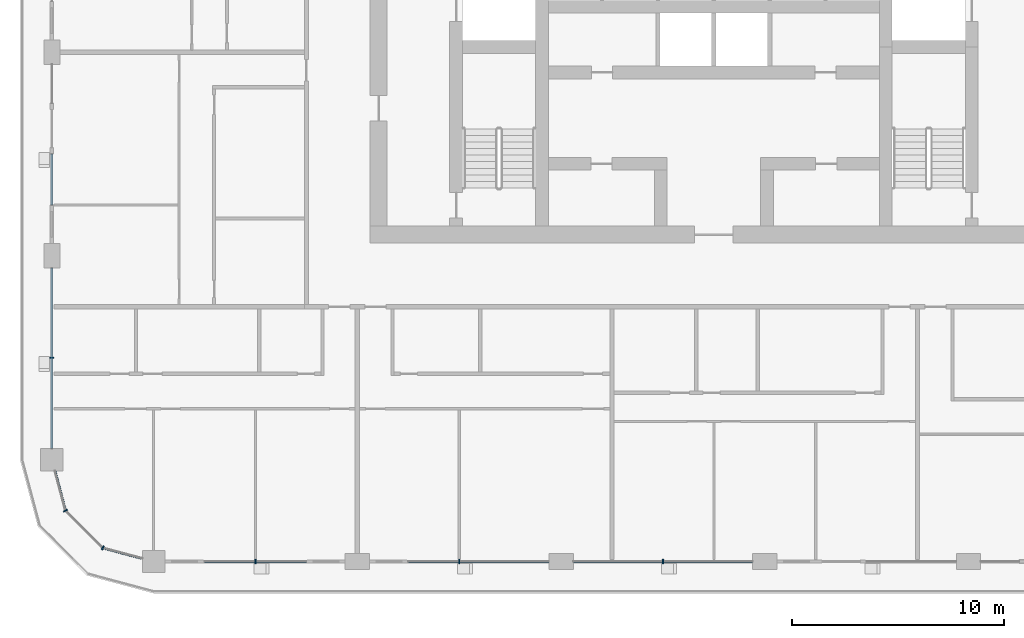
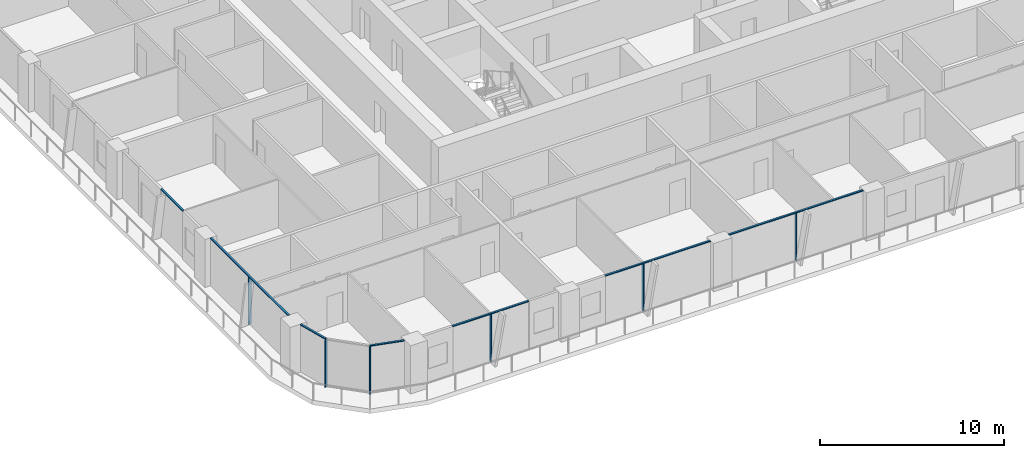
# One storey, part 2 of 22: 13 members, 6 elements without a shape of their own.
"""IFC4 building model written with IfcOpenShell, lengths in metres."""

from ifc_helpers import new_model, si_unit, direction, frame, origin, origin_2d, place, context, subcontext, project, spatial, rectangle, extrude, material, layer, layer_set, material_profile, profile_set, type_object, element, aggregate, save


model = new_model("IFC4")

# Units and contexts
model_context = context("Model", 3, precision=1e-05, world=origin(), true_north=direction((0.0, 1.0)))
body_context = subcontext(model_context, "Body", "Model", "MODEL_VIEW")
ifc_project = project(units=[si_unit("LENGTHUNIT", "METRE"), si_unit("AREAUNIT", "SQUARE_METRE"), si_unit("VOLUMEUNIT", "CUBIC_METRE"), si_unit("PLANEANGLEUNIT", "RADIAN"), si_unit("MASSUNIT", "GRAM", prefix="KILO")], contexts=[model_context])

# Site, building, storey
site_placement = place(None, origin())
site = spatial("IfcSite", under=ifc_project, at=site_placement, CompositionType="ELEMENT")
building_placement = place(site_placement, origin())
building = spatial("IfcBuilding", under=site, at=building_placement, Name="Madar Terraces", CompositionType="ELEMENT")
storey_placement = place(building_placement, frame((0.0, 0.0, 152.5)))
storey = spatial("IfcBuildingStorey", under=building, at=storey_placement, Name="L39", CompositionType="ELEMENT", Elevation=152.5)

# Curtain wall, member
ifc_material_1 = material(Name="Glass, ceramic frit dark grey, with black aluminium frame", Category="aluminium")
ifc_layer = layer(ifc_material_1, 0.199951171875)
ifc_layer_set = layer_set([ifc_layer], Name="Facade curtain wall, fritted glass")
curtain_wall_type = type_object("IfcCurtainWallType", Name="Facade curtain wall, fritted glass", PredefinedType="NOTDEFINED", material=ifc_layer_set)
curtain_wall_1_placement = place(storey_placement, origin())
curtain_wall_1 = element("IfcCurtainWall", 1, at=curtain_wall_1_placement, inside=storey, type_object=curtain_wall_type, Name="Outer skin curtain wall south bay 1", PredefinedType="NOTDEFINED")
ifc_material_2 = material(Name="Aluminium, black anodised", Category="aluminium")
ifc_material_profile_1 = material_profile(ifc_material_2, rectangle(XDim=0.199951171875, YDim=0.06005859375, at=origin_2d()), Name="Facade mullion 60x200")
ifc_profile_set_1 = profile_set([ifc_material_profile_1], Name="Aluminium, black anodised")
member_type_1 = type_object("IfcMemberType", Name="Facade mullion 60x200", PredefinedType="MULLION", material=ifc_profile_set_1)
member_1_placement = place(storey_placement, frame((9.60009765625, 0.0, 0.0), z_axis=(0.0, 0.0, 1.0), x_axis=(0.0, 1.0, 0.0)))
member_1 = element("IfcMember", 2, at=member_1_placement, type_object=member_type_1, Name="Mullion 1", PredefinedType="MULLION", context=body_context, shape_type="SweptSolid", body=[
    extrude(rectangle(XDim=0.199951171875, YDim=0.06005859375, at=origin_2d()), origin(), (0.0, 0.0, 1.0), 3.139892578125),
])

curtain_wall_2_placement = place(storey_placement, origin())
curtain_wall_2 = element("IfcCurtainWall", 3, at=curtain_wall_2_placement, inside=storey, type_object=curtain_wall_type, Name="Outer skin curtain wall south bay 2", PredefinedType="NOTDEFINED")
member_2_placement = place(storey_placement, frame((19.199951171875, 0.0, 0.0), z_axis=(0.0, 0.0, 1.0), x_axis=(0.0, 1.0, 0.0)))
member_2 = element("IfcMember", 4, at=member_2_placement, type_object=member_type_1, Name="Mullion 1", PredefinedType="MULLION", context=body_context, shape_type="SweptSolid", body=[
    extrude(rectangle(XDim=0.199951171875, YDim=0.06005859375, at=origin_2d()), origin(), (0.0, 0.0, 1.0), 3.139892578125),
])

curtain_wall_3_placement = place(storey_placement, origin())
curtain_wall_3 = element("IfcCurtainWall", 5, at=curtain_wall_3_placement, inside=storey, type_object=curtain_wall_type, Name="Outer skin curtain wall south bay 3", PredefinedType="NOTDEFINED")
member_3_placement = place(storey_placement, frame((28.800048828125, 0.0, 0.0), z_axis=(0.0, 0.0, 1.0), x_axis=(0.0, 1.0, 0.0)))
member_3 = element("IfcMember", 6, at=member_3_placement, type_object=member_type_1, Name="Mullion 1", PredefinedType="MULLION", context=body_context, shape_type="SweptSolid", body=[
    extrude(rectangle(XDim=0.199951171875, YDim=0.06005859375, at=origin_2d()), origin(), (0.0, 0.0, 1.0), 3.139892578125),
])

curtain_wall_4_placement = place(storey_placement, origin())
curtain_wall_4 = element("IfcCurtainWall", 7, at=curtain_wall_4_placement, inside=storey, type_object=curtain_wall_type, Name="Outer skin curtain wall west bay 4", PredefinedType="NOTDEFINED")
member_4_placement = place(storey_placement, frame((0.0, 9.60009765625, 0.0), z_axis=(0.0, 0.0, 1.0), x_axis=(1.0, 0.0, 0.0)))
member_4 = element("IfcMember", 8, at=member_4_placement, type_object=member_type_1, Name="Mullion 1", PredefinedType="MULLION", context=body_context, shape_type="SweptSolid", body=[
    extrude(rectangle(XDim=0.199951171875, YDim=0.06005859375, at=origin_2d()), origin(), (0.0, 0.0, 1.0), 3.139892578125),
])

# Curtain wall, members
curtain_wall_5_placement = place(storey_placement, origin())
curtain_wall_5 = element("IfcCurtainWall", 9, at=curtain_wall_5_placement, inside=storey, type_object=curtain_wall_type, Name="Outer skin curtain wall south-west corner", PredefinedType="NOTDEFINED")
member_5_placement = place(storey_placement, frame((0.64306640625, 2.39990234375, 0.0), z_axis=(0.0, 0.0, 1.0), x_axis=(0.866025409797, 0.499999989586, 0.0)))
member_5 = element("IfcMember", 10, at=member_5_placement, type_object=member_type_1, Name="Mullion 1", PredefinedType="MULLION", context=body_context, shape_type="SweptSolid", body=[
    extrude(rectangle(XDim=0.199951171875, YDim=0.06005859375, at=origin_2d()), origin(), (0.0, 0.0, 1.0), 3.139892578125),
])
member_6_placement = place(storey_placement, frame((2.39990234375, 0.64306640625, 0.0), z_axis=(0.0, 0.0, 1.0), x_axis=(0.499999989586, 0.866025409797, 0.0)))
member_6 = element("IfcMember", 11, at=member_6_placement, type_object=member_type_1, Name="Mullion 2", PredefinedType="MULLION", context=body_context, shape_type="SweptSolid", body=[
    extrude(rectangle(XDim=0.199951171875, YDim=0.06005859375, at=origin_2d()), origin(), (0.0, 0.0, 1.0), 3.139892578125),
])

# Member
ifc_material_3 = material(Name="Aluminium, black anodised", Category="aluminium")
ifc_material_profile_2 = material_profile(ifc_material_3, rectangle(XDim=0.1201171875, YDim=0.06005859375, at=origin_2d()), Name="Facade transom 60x120")
ifc_profile_set_2 = profile_set([ifc_material_profile_2], Name="Aluminium, black anodised")
member_type_2 = type_object("IfcMemberType", Name="Facade transom 60x120", PredefinedType="USERDEFINED", material=ifc_profile_set_2)
member_7_placement = place(storey_placement, frame((7.199951171875, 0.0, 3.169921875), z_axis=(1.0, 0.0, 0.0), x_axis=(0.0, 1.0, 0.0)))
member_7 = element("IfcMember", 12, at=member_7_placement, type_object=member_type_2, Name="Transom 1", ObjectType="TRANSOM", PredefinedType="USERDEFINED", context=body_context, shape_type="SweptSolid", body=[
    extrude(rectangle(XDim=0.1201171875, YDim=0.06005859375, at=origin_2d()), origin(), (0.0, 0.0, 1.0), 4.800048828125),
])

aggregate(curtain_wall_1, [member_1, member_7])

member_8_placement = place(storey_placement, frame((16.800048828125, 0.0, 3.169921875), z_axis=(1.0, 0.0, 0.0), x_axis=(0.0, 1.0, 0.0)))
member_8 = element("IfcMember", 13, at=member_8_placement, type_object=member_type_2, Name="Transom 1", ObjectType="TRANSOM", PredefinedType="USERDEFINED", context=body_context, shape_type="SweptSolid", body=[
    extrude(rectangle(XDim=0.1201171875, YDim=0.06005859375, at=origin_2d()), origin(), (0.0, 0.0, 1.0), 6.625),
])

aggregate(curtain_wall_2, [member_2, member_8])

member_9_placement = place(storey_placement, frame((24.574951171875, 0.0, 3.169921875), z_axis=(1.0, 0.0, 0.0), x_axis=(0.0, 1.0, 0.0)))
member_9 = element("IfcMember", 14, at=member_9_placement, type_object=member_type_2, Name="Transom 1", ObjectType="TRANSOM", PredefinedType="USERDEFINED", context=body_context, shape_type="SweptSolid", body=[
    extrude(rectangle(XDim=0.1201171875, YDim=0.06005859375, at=origin_2d()), origin(), (0.0, 0.0, 1.0), 8.449951171875),
])

aggregate(curtain_wall_3, [member_3, member_9])

# Curtain wall, member
curtain_wall_6_placement = place(storey_placement, origin())
curtain_wall_6 = element("IfcCurtainWall", 15, at=curtain_wall_6_placement, inside=storey, type_object=curtain_wall_type, Name="Outer skin curtain wall west bay 3", PredefinedType="NOTDEFINED")
member_10_placement = place(storey_placement, frame((0.0, 19.199951171875, 3.169921875), z_axis=(0.0, -1.0, 0.0), x_axis=(1.0, 0.0, 0.0)))
member_10 = element("IfcMember", 16, at=member_10_placement, type_object=member_type_2, Name="Transom 2", ObjectType="TRANSOM", PredefinedType="USERDEFINED", context=body_context, shape_type="SweptSolid", body=[
    extrude(rectangle(XDim=0.1201171875, YDim=0.06005859375, at=origin_2d()), origin(), (0.0, 0.0, 1.0), 2.39990234375),
])
aggregate(curtain_wall_6, [member_10])

# Member
member_11_placement = place(storey_placement, frame((0.0, 13.824951171875, 3.169921875), z_axis=(0.0, -1.0, 0.0), x_axis=(1.0, 0.0, 0.0)))
member_11 = element("IfcMember", 17, at=member_11_placement, type_object=member_type_2, Name="Transom 1", ObjectType="TRANSOM", PredefinedType="USERDEFINED", context=body_context, shape_type="SweptSolid", body=[
    extrude(rectangle(XDim=0.1201171875, YDim=0.06005859375, at=origin_2d()), origin(), (0.0, 0.0, 1.0), 8.5),
])

aggregate(curtain_wall_4, [member_4, member_11])

member_12_placement = place(storey_placement, frame((0.140625, 4.27490234375, 3.169921875), z_axis=(0.258823354654, -0.965924671538, 0.0), x_axis=(0.965924671538, 0.258823354654, 0.0)))
member_12 = element("IfcMember", 18, at=member_12_placement, type_object=member_type_2, Name="Transom 1", ObjectType="TRANSOM", PredefinedType="USERDEFINED", context=body_context, shape_type="SweptSolid", body=[
    extrude(rectangle(XDim=0.1201171875, YDim=0.06005859375, at=origin_2d()), origin(), (0.0, 0.0, 1.0), 1.9111328125),
])

member_13_placement = place(storey_placement, frame((2.428955078125, 0.63525390625, 3.169921875), z_axis=(0.965924671538, -0.258823354654, 0.0), x_axis=(0.258823354654, 0.965924671538, 0.0)))
member_13 = element("IfcMember", 19, at=member_13_placement, type_object=member_type_2, Name="Transom 3", ObjectType="TRANSOM", PredefinedType="USERDEFINED", context=body_context, shape_type="SweptSolid", body=[
    extrude(rectangle(XDim=0.1201171875, YDim=0.06005859375, at=origin_2d()), origin(), (0.0, 0.0, 1.0), 1.9111328125),
])

aggregate(curtain_wall_5, [member_5, member_12, member_6, member_13])

save(model, "model.ifc")
